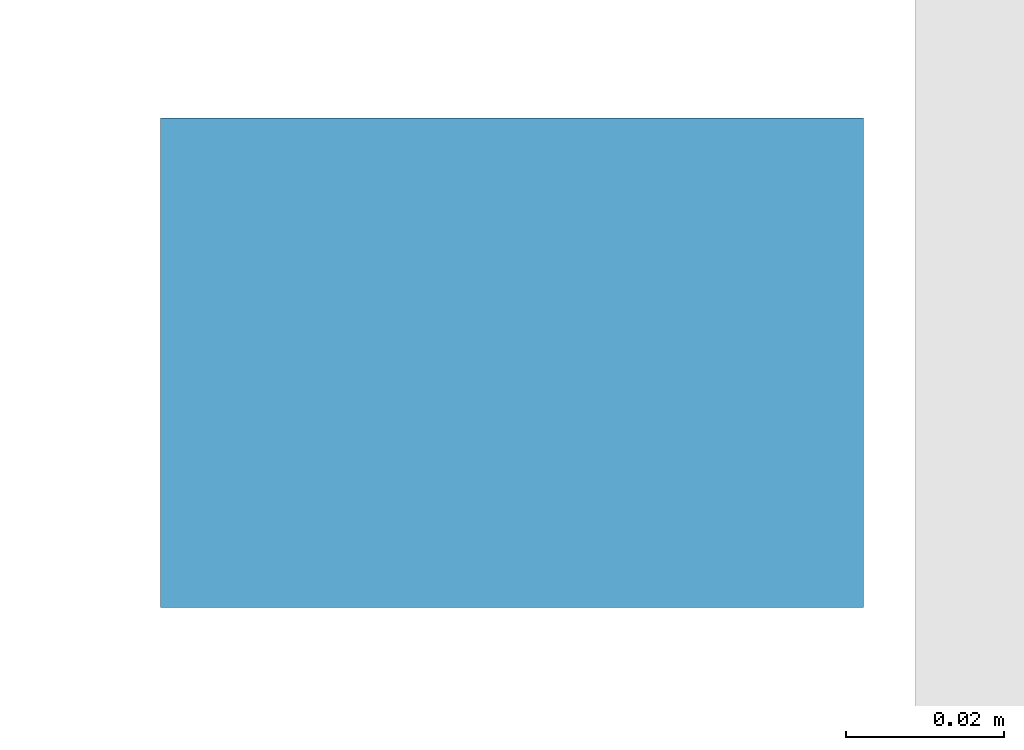
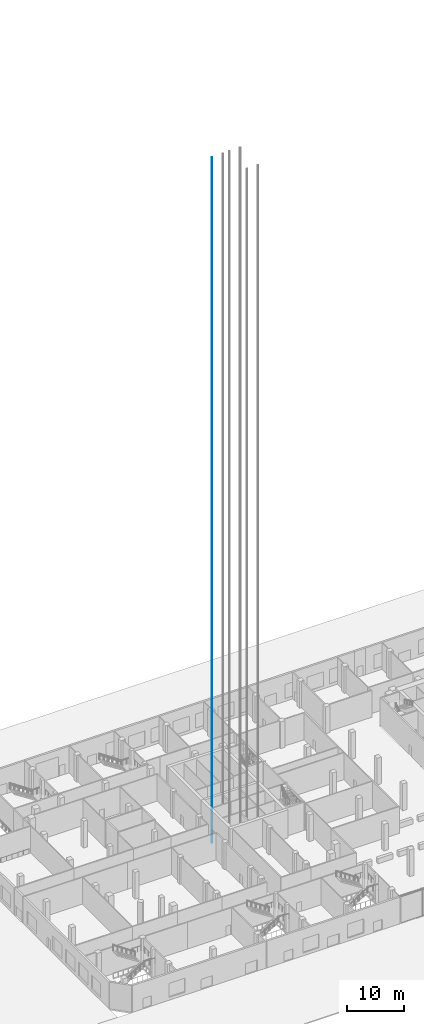
# One storey, part 6 of 55: 1 member.
"""IFC4 building model written with IfcOpenShell, lengths in metres."""

from ifc_helpers import new_model, si_unit, direction, frame, origin, origin_2d, place, context, subcontext, project, spatial, rectangle, extrude, material, material_profile, profile_set, type_object, element, save


model = new_model("IFC4")

# Units and contexts
model_context = context("Model", 3, precision=1e-05, world=origin(), true_north=direction((0.0, 1.0)))
body_context = subcontext(model_context, "Body", "Model", "MODEL_VIEW")
ifc_project = project(units=[si_unit("LENGTHUNIT", "METRE"), si_unit("AREAUNIT", "SQUARE_METRE"), si_unit("VOLUMEUNIT", "CUBIC_METRE"), si_unit("PLANEANGLEUNIT", "RADIAN"), si_unit("MASSUNIT", "GRAM", prefix="KILO")], contexts=[model_context])

# Site, building, storey
site_placement = place(None, origin())
site = spatial("IfcSite", under=ifc_project, at=site_placement, CompositionType="ELEMENT")
building_placement = place(site_placement, origin())
building = spatial("IfcBuilding", under=site, at=building_placement, Name="Cinnabar Reach Civic Tower", CompositionType="ELEMENT")
storey_placement = place(building_placement, origin())
storey = spatial("IfcBuildingStorey", under=building, at=storey_placement, Name="L00", CompositionType="ELEMENT", Elevation=0.0)

# Member
ifc_material = material(Name="Steel Q355B", Category="steel")
ifc_material_profile = material_profile(ifc_material, rectangle(XDim=0.089, YDim=0.062, at=origin_2d()), Name="T89")
ifc_profile_set = profile_set([ifc_material_profile], Name="Steel Q355B")
member_type = type_object("IfcMemberType", Name="Lift guide rail T89", PredefinedType="MEMBER", material=ifc_profile_set)
member_placement = place(storey_placement, frame((-41.351, 28.875, -2.5), z_axis=(0.0, 0.0, 1.0), x_axis=(1.0, 0.0, 0.0)))
element("IfcMember", 1, at=member_placement, inside=storey, type_object=member_type, Name="Lift guide rail 1", PredefinedType="MEMBER", context=body_context, shape_type="SweptSolid", body=[
    extrude(rectangle(XDim=0.089, YDim=0.062, at=origin_2d()), origin(), (0.0, 0.0, 1.0), 146.05),
])

save(model, "model.ifc")
